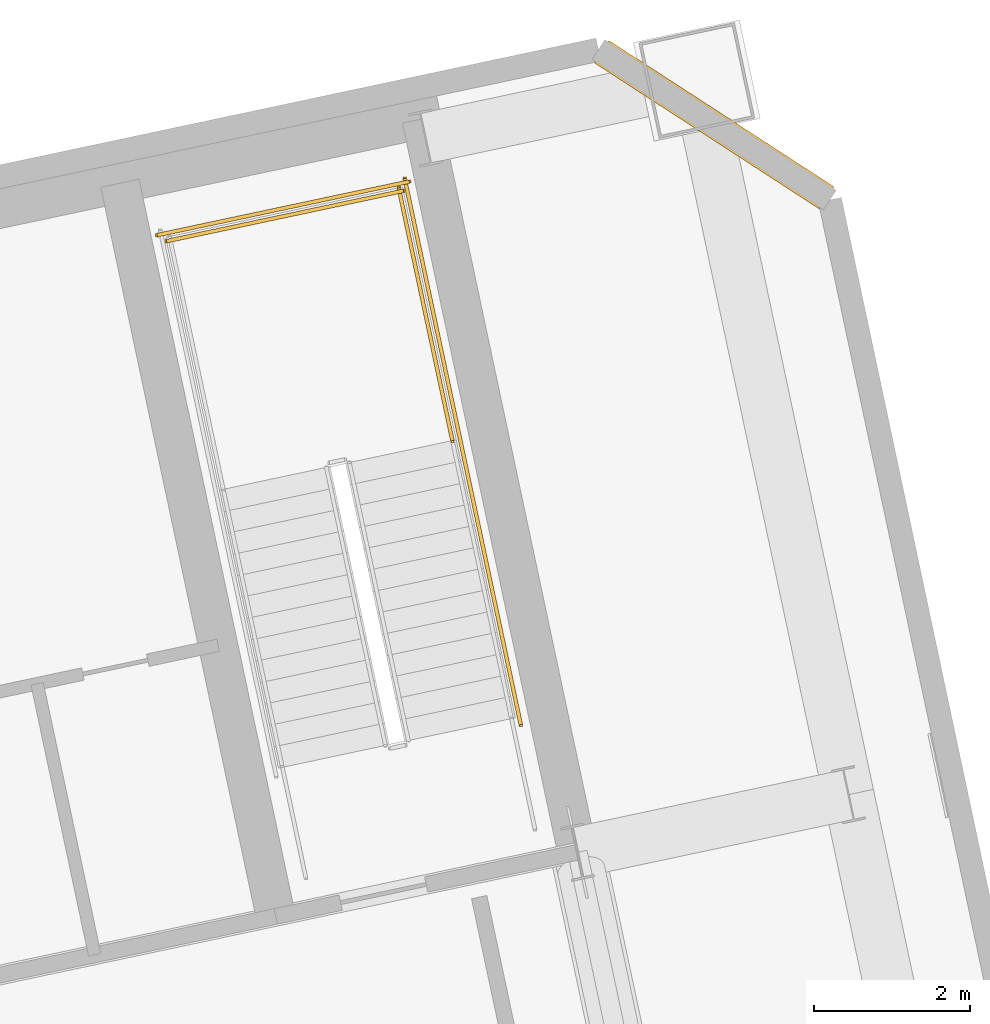
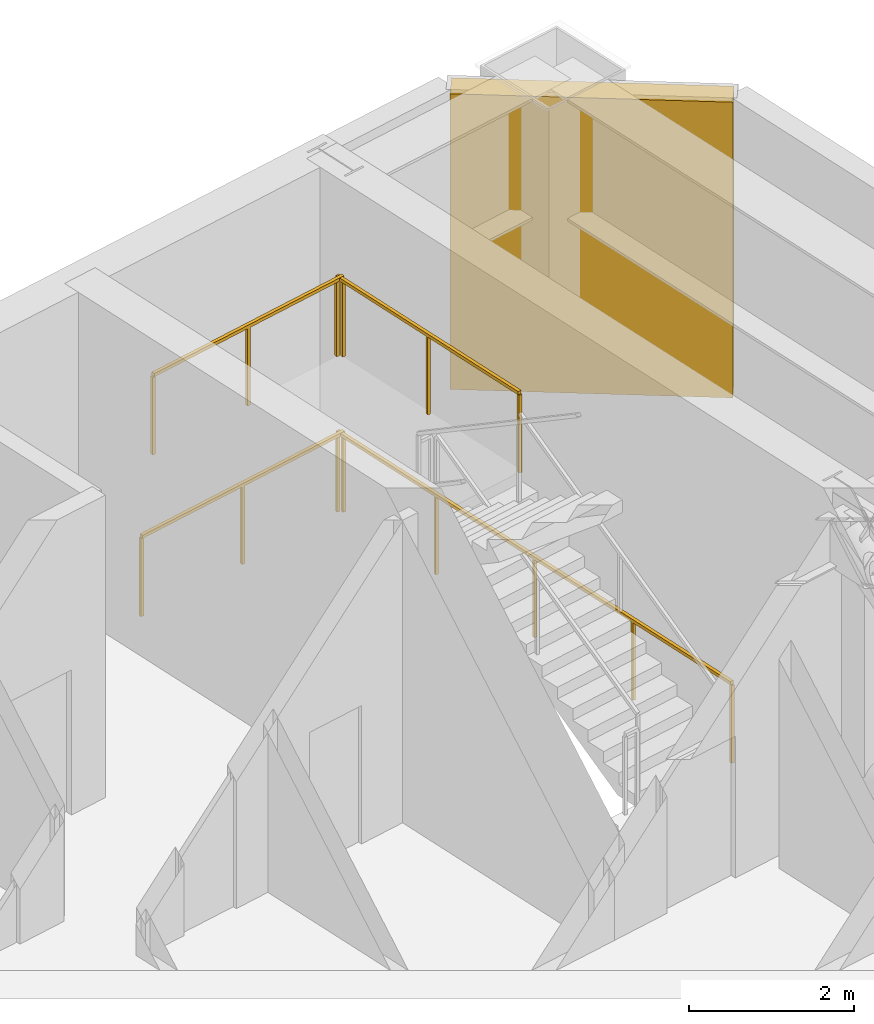
# One storey, part 15 of 15: 4 railings, 1 shading device.
"""IFC4 building model written with IfcOpenShell, lengths in metres."""

import ifcopenshell
import ifcopenshell.guid

model = None  # the IFC model being written
_history = None  # IfcOwnerHistory: only IFC2X3 demands one
_inside = {}  # id of a spatial element -> (the spatial element, [elements in it])
_under = {}  # id of a project, library or spatial element -> (it, [spatial elements below it])
_declared = {}  # id of a project -> (the project, [libraries it declares])
_typed = {}  # id of a type object -> (the type object, [elements of that type])
_made_of = {}  # id of a material, layer set ... -> (it, [elements and type objects made of it])


def new_model(schema):
    """Start an empty IFC model of exactly this schema.

    Asked for "IFC4X3", IfcOpenShell would pick the latest addendum, in which some entities
    have other attributes; the version numbers below select the first issue.
    IFC2X3 requires an IfcOwnerHistory on every rooted entity: one is made here for all.
    """
    global model, _history
    if schema == "IFC4X3":
        model = ifcopenshell.file(schema_version=(4, 3, 0, 0))
    else:
        model = ifcopenshell.file(schema=schema)
    _inside.clear()
    _under.clear()
    _declared.clear()
    _typed.clear()
    _made_of.clear()
    _history = None
    if model.schema == "IFC2X3":
        org = make("IfcOrganization", Name="unknown")
        user = make(
            "IfcPersonAndOrganization",
            ThePerson=make("IfcPerson", FamilyName="unknown"),
            TheOrganization=org,
        )
        app = make(
            "IfcApplication",
            ApplicationDeveloper=org,
            Version="unknown",
            ApplicationFullName="unknown",
            ApplicationIdentifier="unknown",
        )
        _history = make(
            "IfcOwnerHistory",
            OwningUser=user,
            OwningApplication=app,
            ChangeAction="ADDED",
            CreationDate=0,
        )
    return model


def make(cls, **values):
    """One entity of the class cls with the attributes given. An attribute that is None is left unset."""
    return model.create_entity(
        cls, **{name: value for name, value in values.items() if value is not None}
    )


def rooted(cls, **values):
    """An entity with a GlobalId (a new one), such as an element, a storey or a relation."""
    return make(cls, GlobalId=ifcopenshell.guid.new(), OwnerHistory=_history, **values)


def si_unit(unit_type, name, prefix=None):
    """IfcSIUnit, for example si_unit("LENGTHUNIT", "METRE", prefix="MILLI")."""
    return make("IfcSIUnit", UnitType=unit_type, Prefix=prefix, Name=name)


def assignment(units):
    """IfcUnitAssignment: the units of a project."""
    return None if units is None else make("IfcUnitAssignment", Units=units)


def point(xyz):
    """IfcCartesianPoint."""
    return None if xyz is None else make("IfcCartesianPoint", Coordinates=xyz)


def direction(xyz):
    """IfcDirection."""
    return None if xyz is None else make("IfcDirection", DirectionRatios=xyz)


def frame(location, z_axis=None, x_axis=None):
    """IfcAxis2Placement3D, a coordinate frame: its origin and axes. An axis left out is left unset."""
    return make(
        "IfcAxis2Placement3D",
        Location=point(location),
        Axis=direction(z_axis),
        RefDirection=direction(x_axis),
    )


def frame_2d(location, x_axis=None):
    """IfcAxis2Placement2D, a coordinate frame in the plane: its origin and x axis."""
    return make(
        "IfcAxis2Placement2D", Location=point(location), RefDirection=direction(x_axis)
    )


def origin():
    """The frame at (0, 0, 0) with its axes left unset."""
    return frame((0.0, 0.0, 0.0))


def origin_2d():
    """The frame at (0, 0) in the plane with its x axis left unset."""
    return frame_2d((0.0, 0.0))


def place(relative_to, where):
    """IfcLocalPlacement: puts the frame where relative to a parent placement (None: the world)."""
    return make(
        "IfcLocalPlacement", PlacementRelTo=relative_to, RelativePlacement=where
    )


def context(
    kind, dimensions, precision=None, world=None, true_north=None, identifier=None
):
    """IfcGeometricRepresentationContext, for example the 3D "Model" context."""
    return make(
        "IfcGeometricRepresentationContext",
        ContextIdentifier=identifier,
        ContextType=kind,
        CoordinateSpaceDimension=dimensions,
        Precision=precision,
        WorldCoordinateSystem=world,
        TrueNorth=true_north,
    )


def subcontext(parent, identifier, kind, view, scale=None):
    """IfcGeometricRepresentationSubContext, for example "Body" below "Model"."""
    return make(
        "IfcGeometricRepresentationSubContext",
        ContextIdentifier=identifier,
        ContextType=kind,
        ParentContext=parent,
        TargetScale=scale,
        TargetView=view,
    )


def project(units=None, contexts=None):
    """IfcProject with its units and contexts."""
    return rooted(
        "IfcProject",
        Name="project",
        RepresentationContexts=contexts,
        UnitsInContext=assignment(units),
    )


def spatial(cls, under=None, at=None, **own):
    """A site, building, storey or space (cls), placed at a placement, below another one or the project."""
    s = rooted(cls, ObjectPlacement=at, **own)
    if under is not None:
        _under.setdefault(under.id(), (under, []))[1].append(s)
    return s


def profile(cls, at=None, kind="AREA", **sizes):
    """A parametric profile (cls). Its sizes go by their IFC names, for example OverallWidth=200.0."""
    return make(cls, ProfileType=kind, Position=at, **sizes)


def rectangle(**sizes):
    """IfcRectangleProfileDef."""
    return profile("IfcRectangleProfileDef", **sizes)


def extrude(swept, where, along, depth):
    """IfcExtrudedAreaSolid: the profile swept, set in the frame where, extruded along a direction by depth."""
    return make(
        "IfcExtrudedAreaSolid",
        SweptArea=swept,
        Position=where,
        ExtrudedDirection=direction(along),
        Depth=depth,
    )


def shape(context_of_items, identifier, shape_type, items):
    """IfcShapeRepresentation: the items that make up one representation, for example the "Body"."""
    return make(
        "IfcShapeRepresentation",
        ContextOfItems=context_of_items,
        RepresentationIdentifier=identifier,
        RepresentationType=shape_type,
        Items=items,
    )


def material(Name=None, Category=None):
    """IfcMaterial."""
    return make("IfcMaterial", Name=Name, Category=Category)


def layer(
    of_material, thickness, ventilated=None, Name=None, Category=None, Priority=None
):
    """IfcMaterialLayer: one layer of a wall or slab, of a material (None: an air gap)."""
    return make(
        "IfcMaterialLayer",
        Material=of_material,
        LayerThickness=thickness,
        IsVentilated=ventilated,
        Name=Name,
        Category=Category,
        Priority=Priority,
    )


def layer_set(layers, Name=None):
    """IfcMaterialLayerSet."""
    return make("IfcMaterialLayerSet", MaterialLayers=layers, LayerSetName=Name)


def made_of(thing, what):
    """Note that an element or type object is made of a material, layer set ...; save() writes the relation."""
    if what is not None:
        _made_of.setdefault(what.id(), (what, []))[1].append(thing)
    return thing


def type_object(cls, material=None, **own):
    """A type object (cls), such as IfcWallType, which elements share."""
    return made_of(rooted(cls, **own), material)


def element(
    cls,
    number,
    at=None,
    inside=None,
    cuts=None,
    type_object=None,
    material=None,
    context=None,
    identifier="Body",
    shape_type=None,
    held_by="IfcProductDefinitionShape",
    body=None,
    shapes=None,
    **own,
):
    """One element of the class cls, such as IfcWall. Its Tag is "e" and its number.

    at: its placement. inside: the storey or other place that contains it. cuts: it is an
    opening in that element (IfcRelVoidsElement). A single representation is given by context,
    identifier, shape_type and body (its items); several are given by shapes. held_by: the class
    of the entity that holds the representations. save() writes the other relations.
    """
    e = rooted(cls, Tag="e%d" % number, ObjectPlacement=at, **own)
    if body is not None:
        shapes = [shape(context, identifier, shape_type, body)]
    if shapes is not None:
        e.Representation = make(held_by, Representations=shapes)
    if inside is not None:
        _inside.setdefault(inside.id(), (inside, []))[1].append(e)
    if cuts is not None:
        rooted(
            "IfcRelVoidsElement", RelatingBuildingElement=cuts, RelatedOpeningElement=e
        )
    if type_object is not None:
        _typed.setdefault(type_object.id(), (type_object, []))[1].append(e)
    return made_of(e, material)


def aggregate(whole, parts):
    """IfcRelAggregates: a whole, such as a stair, and the parts it consists of."""
    return rooted("IfcRelAggregates", RelatingObject=whole, RelatedObjects=parts)


def save(model, path):
    """Write the relations noted so far, then the file.

    IfcRelAggregates (storeys below a building ...), IfcRelContainedInSpatialStructure (elements
    in a storey), IfcRelDefinesByType, IfcRelAssociatesMaterial and IfcRelDeclares: one each for
    every whole, place, type object, material and project.
    """
    for whole, parts in _under.values():
        aggregate(whole, parts)
    for where, things in _inside.values():
        rooted(
            "IfcRelContainedInSpatialStructure",
            RelatedElements=things,
            RelatingStructure=where,
        )
    for kind, things in _typed.values():
        rooted("IfcRelDefinesByType", RelatedObjects=things, RelatingType=kind)
    for what, things in _made_of.values():
        rooted("IfcRelAssociatesMaterial", RelatedObjects=things, RelatingMaterial=what)
    for by, libraries in _declared.values():
        rooted("IfcRelDeclares", RelatingContext=by, RelatedDefinitions=libraries)
    model.write(path)


model = new_model("IFC4")

# Units and contexts
model_context = context("Model", 3, precision=1e-05, world=origin(), true_north=direction((0.0, 1.0)))
body_context = subcontext(model_context, "Body", "Model", "MODEL_VIEW")
ifc_project = project(units=[si_unit("LENGTHUNIT", "METRE"), si_unit("AREAUNIT", "SQUARE_METRE"), si_unit("VOLUMEUNIT", "CUBIC_METRE"), si_unit("PLANEANGLEUNIT", "RADIAN"), si_unit("MASSUNIT", "GRAM", prefix="KILO")], contexts=[model_context])

# Site, building, storey
site_placement = place(None, origin())
site = spatial("IfcSite", under=ifc_project, at=site_placement, CompositionType="ELEMENT")
building_placement = place(site_placement, origin())
building = spatial("IfcBuilding", under=site, at=building_placement, Name="Haevon Station Towers", CompositionType="ELEMENT")
storey_placement = place(building_placement, frame((0.0, 0.0, 192.300048828125)))
storey = spatial("IfcBuildingStorey", under=building, at=storey_placement, Name="L53", CompositionType="ELEMENT", Elevation=192.300048828125)

# Railings
ifc_material_1 = material(Name="Steel S355", Category="steel")
railing_type = type_object("IfcRailingType", Name="GRD-STR1200", PredefinedType="GUARDRAIL", material=ifc_material_1)
railing_1_placement = place(storey_placement, frame((117.6923828125, 47.080810546875, 2.39990234375)))
element("IfcRailing", 1, at=railing_1_placement, inside=storey, type_object=railing_type, Name="L53 ST4 Stair Guard 3", PredefinedType="GUARDRAIL", context=body_context, shape_type="SweptSolid", body=[
    extrude(rectangle(XDim=0.048095703125, YDim=0.048095703125, at=origin_2d()), frame((0.0, 0.0, 1.17578125), z_axis=(-0.207916974835, 0.978146477566, 0.0), x_axis=(-0.978146477566, -0.207916974835, 0.0)), (0.0, 0.0, 1.0), 3.31005859375),
    extrude(rectangle(XDim=0.0419921875, YDim=0.0419921875, at=origin_2d()), origin(), (0.0, 0.0, 1.0), 1.15185546875),
    extrude(rectangle(XDim=0.0419921875, YDim=0.0419921875, at=origin_2d()), frame((-0.34423828125, 1.618896484375, 0.0)), (0.0, 0.0, 1.0), 1.15185546875),
    extrude(rectangle(XDim=0.0419921875, YDim=0.0419921875, at=origin_2d()), frame((-0.688232421875, 3.23779296875, 0.0)), (0.0, 0.0, 1.0), 1.15185546875),
])
railing_2_placement = place(storey_placement, frame((117.0634765625, 50.280029296875, 2.39990234375)))
element("IfcRailing", 2, at=railing_2_placement, inside=storey, type_object=railing_type, Name="L53 ST4 Stair Guard 5", PredefinedType="GUARDRAIL", context=body_context, shape_type="SweptSolid", body=[
    extrude(rectangle(XDim=0.048095703125, YDim=0.048095703125, at=origin_2d()), frame((0.0, 0.0, 1.17578125), z_axis=(-0.978146839882, -0.207915270313, 0.0), x_axis=(0.207915270313, -0.978146839882, 0.0)), (0.0, 0.0, 1.0), 3.099853515625),
    extrude(rectangle(XDim=0.0419921875, YDim=0.0419921875, at=origin_2d()), origin(), (0.0, 0.0, 1.0), 1.15185546875),
    extrude(rectangle(XDim=0.0419921875, YDim=0.0419921875, at=origin_2d()), frame((-1.51611328125, -0.322265625, 0.0)), (0.0, 0.0, 1.0), 1.15185546875),
    extrude(rectangle(XDim=0.0419921875, YDim=0.0419921875, at=origin_2d()), frame((-3.0322265625, -0.64453125, 0.0)), (0.0, 0.0, 1.0), 1.15185546875),
])
railing_3_placement = place(storey_placement, frame((118.567626953125, 43.443359375, 0.0)))
element("IfcRailing", 3, at=railing_3_placement, inside=storey, type_object=railing_type, Name="L53 ST4 Stair Guard 10", PredefinedType="GUARDRAIL", context=body_context, shape_type="SweptSolid", body=[
    extrude(rectangle(XDim=0.048095703125, YDim=0.048095703125, at=origin_2d()), frame((0.0, 0.0, 1.17578125), z_axis=(-0.207908168386, 0.978148349443, 0.0), x_axis=(-0.978148349443, -0.207908168386, 0.0)), (0.0, 0.0, 1.0), 7.150146484375),
    extrude(rectangle(XDim=0.0419921875, YDim=0.0419921875, at=origin_2d()), origin(), (0.0, 0.0, 1.0), 1.15185546875),
    extrude(rectangle(XDim=0.0419921875, YDim=0.0419921875, at=origin_2d()), frame((-0.37158203125, 1.74853515625, 0.0)), (0.0, 0.0, 1.0), 1.15185546875),
    extrude(rectangle(XDim=0.0419921875, YDim=0.0419921875, at=origin_2d()), frame((-0.7431640625, 3.4970703125, 0.0)), (0.0, 0.0, 1.0), 1.15185546875),
    extrude(rectangle(XDim=0.0419921875, YDim=0.0419921875, at=origin_2d()), frame((-1.114990234375, 5.245361328125, 0.0)), (0.0, 0.0, 1.0), 1.15185546875),
    extrude(rectangle(XDim=0.0419921875, YDim=0.0419921875, at=origin_2d()), frame((-1.486572265625, 6.993896484375, 0.0)), (0.0, 0.0, 1.0), 1.15185546875),
])
railing_4_placement = place(storey_placement, frame((117.140380859375, 50.398681640625, 0.0)))
element("IfcRailing", 4, at=railing_4_placement, inside=storey, type_object=railing_type, Name="L53 ST4 Stair Guard 12", PredefinedType="GUARDRAIL", context=body_context, shape_type="SweptSolid", body=[
    extrude(rectangle(XDim=0.048095703125, YDim=0.048095703125, at=origin_2d()), frame((0.0, 0.0, 1.17578125), z_axis=(-0.978135717418, -0.207967589567, 0.0), x_axis=(0.207967589567, -0.978135717418, 0.0)), (0.0, 0.0, 1.0), 3.300048828125),
    extrude(rectangle(XDim=0.0419921875, YDim=0.0419921875, at=origin_2d()), origin(), (0.0, 0.0, 1.0), 1.15185546875),
    extrude(rectangle(XDim=0.0419921875, YDim=0.0419921875, at=origin_2d()), frame((-1.61376953125, -0.34326171875, 0.0)), (0.0, 0.0, 1.0), 1.15185546875),
    extrude(rectangle(XDim=0.0419921875, YDim=0.0419921875, at=origin_2d()), frame((-3.227783203125, -0.686279296875, 0.0)), (0.0, 0.0, 1.0), 1.15185546875),
])

# Shading device
ifc_material_2 = material(Name="Anodised aluminium 6063-T6", Category="aluminium")
ifc_layer = layer(ifc_material_2, 0.139892578125)
ifc_layer_set = layer_set([ifc_layer], Name="Anodised aluminium 6063-T6")
shading_device_type = type_object("IfcShadingDeviceType", Name="SHD-WIND-BAFFLE", PredefinedType="SHUTTER", material=ifc_layer_set)
shading_device_placement = place(storey_placement, frame((121.04443359375, 51.126220703125, 0.050048828125), z_axis=(0.0, 0.0, 1.0), x_axis=(0.838670648839, -0.544638910449, 0.0)))
element("IfcShadingDevice", 5, at=shading_device_placement, inside=storey, type_object=shading_device_type, Name="Tower 2 L53 Wind-Corner Aerofoil Baffle NEC", PredefinedType="SHUTTER", context=body_context, shape_type="SweptSolid", body=[
    extrude(rectangle(XDim=3.435546875, YDim=0.340087890625, at=origin_2d()), origin(), (0.0, 0.0, 1.0), 4.3798828125),
])

save(model, "model.ifc")
